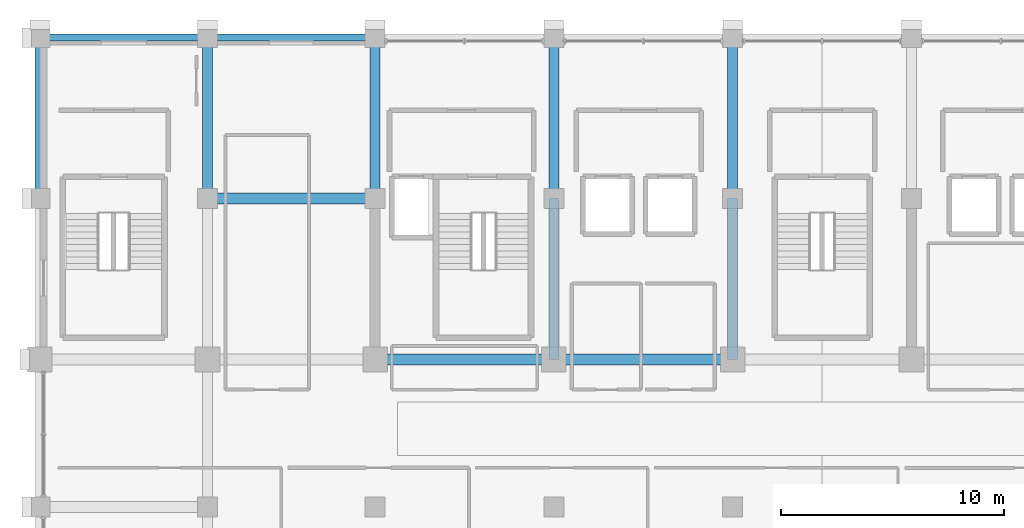
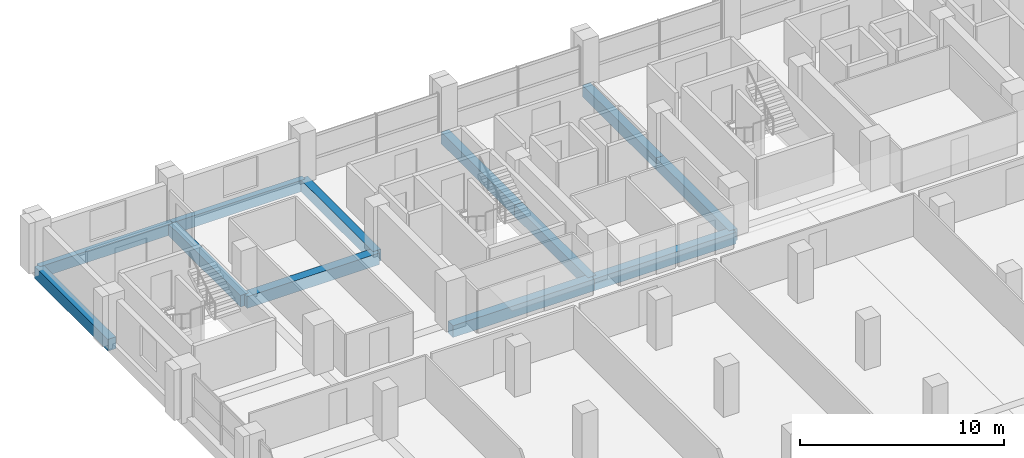
# One storey, part 9 of 22: 12 beams.
"""IFC4 building model written with IfcOpenShell, lengths in metres."""

from ifc_helpers import new_model, si_unit, direction, frame, origin, origin_2d, place, context, subcontext, project, spatial, rectangle, extrude, material, material_profile, profile_set, type_object, element, save


model = new_model("IFC4")

# Units and contexts
model_context = context("Model", 3, precision=1e-05, world=origin(), true_north=direction((0.0, 1.0)))
body_context = subcontext(model_context, "Body", "Model", "MODEL_VIEW")
ifc_project = project(units=[si_unit("LENGTHUNIT", "METRE"), si_unit("AREAUNIT", "SQUARE_METRE"), si_unit("VOLUMEUNIT", "CUBIC_METRE"), si_unit("PLANEANGLEUNIT", "RADIAN"), si_unit("MASSUNIT", "GRAM", prefix="KILO")], contexts=[model_context])

# Site, building, storey
site_placement = place(None, origin())
site = spatial("IfcSite", under=ifc_project, at=site_placement, CompositionType="ELEMENT")
building_placement = place(site_placement, origin())
building = spatial("IfcBuilding", under=site, at=building_placement, Name="Akrevak Sports Hall", CompositionType="ELEMENT")
storey_placement = place(building_placement, frame((0.0, 0.0, 30.800048828125)))
storey = spatial("IfcBuildingStorey", under=building, at=storey_placement, Name="L06", CompositionType="ELEMENT", Elevation=30.800048828125)

# Beams
ifc_material = material(Name="Concrete C40/50", Category="concrete")
ifc_material_profile_1 = material_profile(ifc_material, rectangle(XDim=0.449951171875, YDim=0.699951171875, at=origin_2d()), Name="BM 450x700", Category="concrete")
ifc_profile_set_1 = profile_set([ifc_material_profile_1], Name="Concrete C40/50")
beam_type_1 = type_object("IfcBeamType", Name="STR-BM-RC450x700", PredefinedType="BEAM", material=ifc_profile_set_1)
for number, where, z_axis, x_axis, name in (
    (1, (45.0, 62.39990234375, -0.35009765625), (0.0, 1.0, 0.0), (-1.0, 0.0, 0.0), "Girder 7/J-K (L06)"),
    (2, (52.5, 62.39990234375, -0.35009765625), (0.0, 1.0, 0.0), (-1.0, 0.0, 0.0), "Girder 8/J-K (L06)"),
    (3, (60.0, 62.39990234375, -0.35009765625), (0.0, 1.0, 0.0), (-1.0, 0.0, 0.0), "Girder 9/J-K (L06)"),
):
    element("IfcBeam", number, at=place(storey_placement, frame(where, z_axis=z_axis, x_axis=x_axis)), inside=storey, type_object=beam_type_1, Name=name, PredefinedType="BEAM", context=body_context, shape_type="SweptSolid", body=[
        extrude(rectangle(XDim=0.449951171875, YDim=0.699951171875, at=origin_2d()), origin(), (0.0, 0.0, 1.0), 7.2001953125),
    ])
beam_1_placement = place(storey_placement, frame((68.0, 55.199951171875, -0.35009765625), z_axis=(0.0, 1.0, 0.0), x_axis=(-1.0, 0.0, 0.0)))
element("IfcBeam", 4, at=beam_1_placement, inside=storey, type_object=beam_type_1, Name="Girder 10/I-J (L06)", PredefinedType="BEAM", context=body_context, shape_type="SweptSolid", body=[
    extrude(rectangle(XDim=0.449951171875, YDim=0.699951171875, at=origin_2d()), origin(), (0.0, 0.0, 1.0), 7.199951171875),
])
beam_2_placement = place(storey_placement, frame((68.0, 62.39990234375, -0.35009765625), z_axis=(0.0, 1.0, 0.0), x_axis=(-1.0, 0.0, 0.0)))
element("IfcBeam", 5, at=beam_2_placement, inside=storey, type_object=beam_type_1, Name="Girder 10/J-K (L06)", PredefinedType="BEAM", context=body_context, shape_type="SweptSolid", body=[
    extrude(rectangle(XDim=0.449951171875, YDim=0.699951171875, at=origin_2d()), origin(), (0.0, 0.0, 1.0), 7.2001953125),
])
beam_3_placement = place(storey_placement, frame((76.0, 55.199951171875, -0.35009765625), z_axis=(0.0, 1.0, 0.0), x_axis=(-1.0, 0.0, 0.0)))
element("IfcBeam", 6, at=beam_3_placement, inside=storey, type_object=beam_type_1, Name="Girder 11/I-J (L06)", PredefinedType="BEAM", context=body_context, shape_type="SweptSolid", body=[
    extrude(rectangle(XDim=0.449951171875, YDim=0.699951171875, at=origin_2d()), origin(), (0.0, 0.0, 1.0), 7.199951171875),
])
beam_4_placement = place(storey_placement, frame((76.0, 62.39990234375, -0.35009765625), z_axis=(0.0, 1.0, 0.0), x_axis=(-1.0, 0.0, 0.0)))
element("IfcBeam", 7, at=beam_4_placement, inside=storey, type_object=beam_type_1, Name="Girder 11/J-K (L06)", PredefinedType="BEAM", context=body_context, shape_type="SweptSolid", body=[
    extrude(rectangle(XDim=0.449951171875, YDim=0.699951171875, at=origin_2d()), origin(), (0.0, 0.0, 1.0), 7.2001953125),
])
ifc_material_profile_2 = material_profile(ifc_material, rectangle(XDim=0.5, YDim=0.699951171875, at=origin_2d()), Name="BM 500x700", Category="concrete")
ifc_profile_set_2 = profile_set([ifc_material_profile_2], Name="Concrete C40/50")
beam_type_2 = type_object("IfcBeamType", Name="STR-BM-RC500x700", PredefinedType="BEAM", material=ifc_profile_set_2)
for number, where, z_axis, x_axis, name in (
    (8, (60.0, 55.199951171875, -0.35009765625), (1.0, 0.0, 0.0), (0.0, 1.0, 0.0), "Girder I/9-10 (L06)"),
    (9, (68.0, 55.199951171875, -0.35009765625), (1.0, 0.0, 0.0), (0.0, 1.0, 0.0), "Girder I/10-11 (L06)"),
):
    element("IfcBeam", number, at=place(storey_placement, frame(where, z_axis=z_axis, x_axis=x_axis)), inside=storey, type_object=beam_type_2, Name=name, PredefinedType="BEAM", context=body_context, shape_type="SweptSolid", body=[
        extrude(rectangle(XDim=0.5, YDim=0.699951171875, at=origin_2d()), origin(), (0.0, 0.0, 1.0), 8.0),
    ])
beam_5_placement = place(storey_placement, frame((52.5, 62.39990234375, -0.35009765625), z_axis=(1.0, 0.0, 0.0), x_axis=(0.0, 1.0, 0.0)))
element("IfcBeam", 10, at=beam_5_placement, inside=storey, type_object=beam_type_2, Name="Girder J/8-9 (L06)", PredefinedType="BEAM", context=body_context, shape_type="SweptSolid", body=[
    extrude(rectangle(XDim=0.5, YDim=0.699951171875, at=origin_2d()), origin(), (0.0, 0.0, 1.0), 7.5),
])
ifc_material_profile_3 = material_profile(ifc_material, rectangle(XDim=0.320068359375, YDim=0.679931640625, at=origin_2d()), Name="SPD 320x680", Category="concrete")
ifc_profile_set_3 = profile_set([ifc_material_profile_3], Name="Concrete C40/50")
beam_type_3 = type_object("IfcBeamType", Name="STR-SPD-RC320x680", PredefinedType="SPANDREL", material=ifc_profile_set_3)
for number, where, z_axis, x_axis, name in (
    (11, (45.0, 69.60009765625, -0.340087890625), (1.0, 0.0, 0.0), (0.0, 1.0, 0.0), "Girder K/7-8 (L06)"),
    (12, (52.5, 69.60009765625, -0.340087890625), (1.0, 0.0, 0.0), (0.0, 1.0, 0.0), "Girder K/8-9 (L06)"),
):
    element("IfcBeam", number, at=place(storey_placement, frame(where, z_axis=z_axis, x_axis=x_axis)), inside=storey, type_object=beam_type_3, Name=name, PredefinedType="SPANDREL", context=body_context, shape_type="SweptSolid", body=[
        extrude(rectangle(XDim=0.320068359375, YDim=0.679931640625, at=origin_2d()), origin(), (0.0, 0.0, 1.0), 7.5),
    ])

save(model, "model.ifc")
